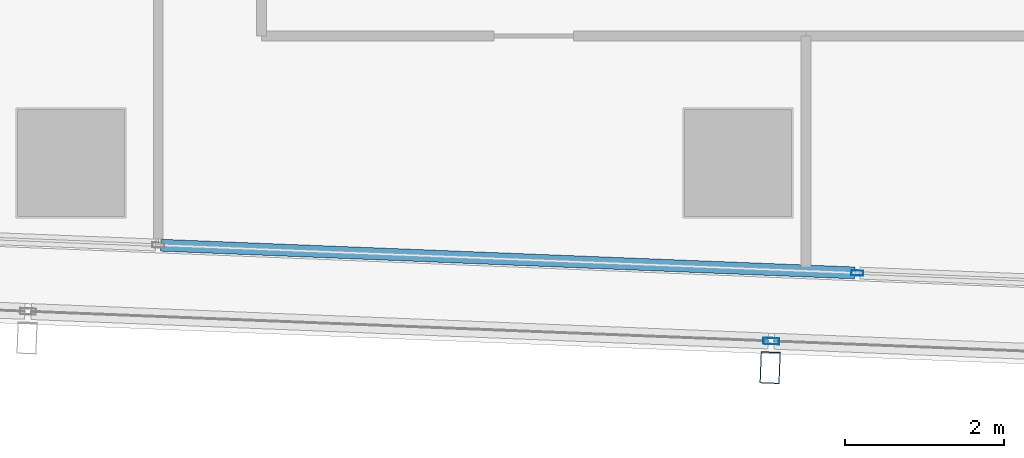
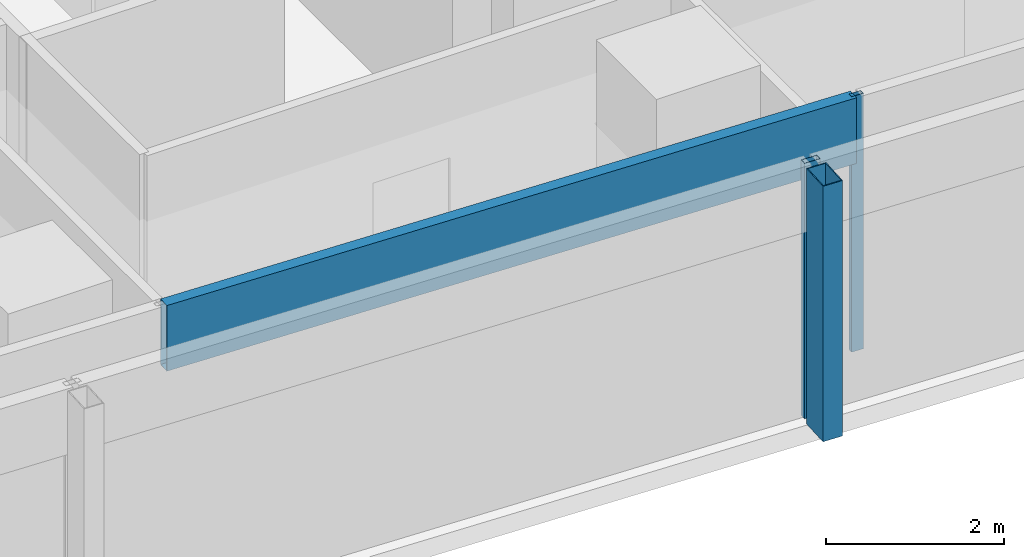
# One storey, part 6 of 40: 4 members, 2 elements without a shape of their own.
"""IFC4 building model written with IfcOpenShell, lengths in metres."""

from ifc_helpers import new_model, si_unit, direction, frame, origin, origin_2d, place, context, subcontext, project, spatial, hollow_rectangle, extrude, material, material_profile, profile_set, type_object, element, aggregate, save


model = new_model("IFC4")

# Units and contexts
model_context = context("Model", 3, precision=1e-05, world=origin(), true_north=direction((0.0, 1.0)))
body_context = subcontext(model_context, "Body", "Model", "MODEL_VIEW")
ifc_project = project(units=[si_unit("LENGTHUNIT", "METRE"), si_unit("AREAUNIT", "SQUARE_METRE"), si_unit("VOLUMEUNIT", "CUBIC_METRE"), si_unit("PLANEANGLEUNIT", "RADIAN"), si_unit("MASSUNIT", "GRAM", prefix="KILO")], contexts=[model_context])

# Site, building, storey
site_placement = place(None, origin())
site = spatial("IfcSite", under=ifc_project, at=site_placement, CompositionType="ELEMENT")
building_placement = place(site_placement, origin())
building = spatial("IfcBuilding", under=site, at=building_placement, Name="Rekha Terrace Tower", CompositionType="ELEMENT")
storey_placement = place(building_placement, frame((0.0, 0.0, 213.949951171875)))
storey = spatial("IfcBuildingStorey", under=building, at=storey_placement, Name="L54", CompositionType="ELEMENT", Elevation=213.949951171875)

# Curtain wall, member
ifc_material_1 = material(Name="Aluminium framing", Category="aluminium")
curtain_wall_type_1 = type_object("IfcCurtainWallType", Name="CW2 double skin outer glazing", PredefinedType="USERDEFINED", material=ifc_material_1)
curtain_wall_1_placement = place(storey_placement, origin())
curtain_wall_1 = element("IfcCurtainWall", 1, at=curtain_wall_1_placement, inside=storey, type_object=curtain_wall_type_1, Name="CW2 double skin outer glazing", ObjectType="DOUBLE SKIN OUTER GLAZING", PredefinedType="USERDEFINED")
ifc_material_2 = material(Name="Steel S355 with fluorocarbon finish", Category="steel")
ifc_material_profile_1 = material_profile(ifc_material_2, hollow_rectangle(XDim=0.25, YDim=0.39990234375, WallThickness=0.012451171875, at=origin_2d()), Name="RHS400x250x12.5")
ifc_profile_set_1 = profile_set([ifc_material_profile_1], Name="Steel S355 with fluorocarbon finish")
member_type_1 = type_object("IfcMemberType", Name="BL1 facade blade RHS 400 x 250", PredefinedType="USERDEFINED", material=ifc_profile_set_1)
member_1_placement = place(storey_placement, frame((25.60498046875, 14.222412109375, 0.0), z_axis=(0.0, 0.0, 1.0), x_axis=(0.999204797763, -0.039871946621, 0.0)))
member_1 = element("IfcMember", 2, at=member_1_placement, type_object=member_type_1, Name="Facade blade", ObjectType="FACADE BLADE", PredefinedType="USERDEFINED", context=body_context, shape_type="SweptSolid", body=[
    extrude(hollow_rectangle(XDim=0.25, YDim=0.39990234375, WallThickness=0.012451171875, at=origin_2d()), origin(), (0.0, 0.0, 1.0), 3.5),
])

# Curtain wall, members
curtain_wall_type_2 = type_object("IfcCurtainWallType", Name="CW1 double skin inner glazing", PredefinedType="USERDEFINED", material=ifc_material_1)
curtain_wall_2_placement = place(storey_placement, origin())
curtain_wall_2 = element("IfcCurtainWall", 3, at=curtain_wall_2_placement, inside=storey, type_object=curtain_wall_type_2, Name="CW1 double skin inner glazing", ObjectType="DOUBLE SKIN INNER GLAZING", PredefinedType="USERDEFINED")
ifc_material_3 = material(Name="Aluminium mullion section", Category="aluminium")
ifc_material_profile_2 = material_profile(ifc_material_3, hollow_rectangle(XDim=0.06494140625, YDim=0.14990234375, WallThickness=0.00390625, at=origin_2d()), Name="AL RHS 65x150")
ifc_profile_set_2 = profile_set([ifc_material_profile_2], Name="Aluminium mullion section")
member_type_2 = type_object("IfcMemberType", Name="CW1 mullion RHS 65 x 150", PredefinedType="MULLION", material=ifc_profile_set_2)
member_2_placement = place(storey_placement, frame((26.703369140625, 15.41455078125, 0.0), z_axis=(0.0, 0.0, 1.0), x_axis=(0.039872497061, 0.999204775798, 0.0)))
member_2 = element("IfcMember", 4, at=member_2_placement, type_object=member_type_2, Name="CW1 mullion 3", PredefinedType="MULLION", context=body_context, shape_type="SweptSolid", body=[
    extrude(hollow_rectangle(XDim=0.06494140625, YDim=0.14990234375, WallThickness=0.00390625, at=origin_2d()), origin(), (0.0, 0.0, 1.0), 3.5),
])
ifc_material_4 = material(Name="Insulated aluminium spandrel box", Category="aluminium")
ifc_material_profile_3 = material_profile(ifc_material_4, hollow_rectangle(XDim=0.14990234375, YDim=0.89990234375, WallThickness=0.0029296875, at=origin_2d()), Name="AL SPANDREL BOX 150x900")
ifc_profile_set_3 = profile_set([ifc_material_profile_3], Name="Insulated aluminium spandrel box")
member_type_3 = type_object("IfcMemberType", Name="CW1 spandrel transom 150 x 900", PredefinedType="USERDEFINED", material=ifc_profile_set_3)
member_3_placement = place(storey_placement, frame((17.931396484375, 15.7646484375, 3.050048828125), z_axis=(0.999205278064, -0.039859908291, 0.0), x_axis=(0.039859908291, 0.999205278064, 0.0)))
member_3 = element("IfcMember", 5, at=member_3_placement, type_object=member_type_3, Name="CW1 spandrel transom 2", ObjectType="TRANSOM", PredefinedType="USERDEFINED", context=body_context, shape_type="SweptSolid", body=[
    extrude(hollow_rectangle(XDim=0.14990234375, YDim=0.89990234375, WallThickness=0.0029296875, at=origin_2d()), origin(), (0.0, 0.0, 1.0), 8.746337890625),
])
aggregate(curtain_wall_2, [member_2, member_3])

# Member
ifc_material_profile_4 = material_profile(ifc_material_3, hollow_rectangle(XDim=0.080078125, YDim=0.199951171875, WallThickness=0.00390625, at=origin_2d()), Name="AL RHS 80x200")
ifc_profile_set_4 = profile_set([ifc_material_profile_4], Name="Aluminium mullion section")
member_type_4 = type_object("IfcMemberType", Name="CW2 mullion RHS 80 x 200", PredefinedType="MULLION", material=ifc_profile_set_4)
member_4_placement = place(storey_placement, frame((25.618408203125, 14.55712890625, 0.0), z_axis=(0.0, 0.0, 1.0), x_axis=(0.039872497044, 0.999204775799, 0.0)))
member_4 = element("IfcMember", 6, at=member_4_placement, type_object=member_type_4, Name="CW2 mullion 3", PredefinedType="MULLION", context=body_context, shape_type="SweptSolid", body=[
    extrude(hollow_rectangle(XDim=0.080078125, YDim=0.199951171875, WallThickness=0.00390625, at=origin_2d()), origin(), (0.0, 0.0, 1.0), 3.5),
])

aggregate(curtain_wall_1, [member_4, member_1])

save(model, "model.ifc")
